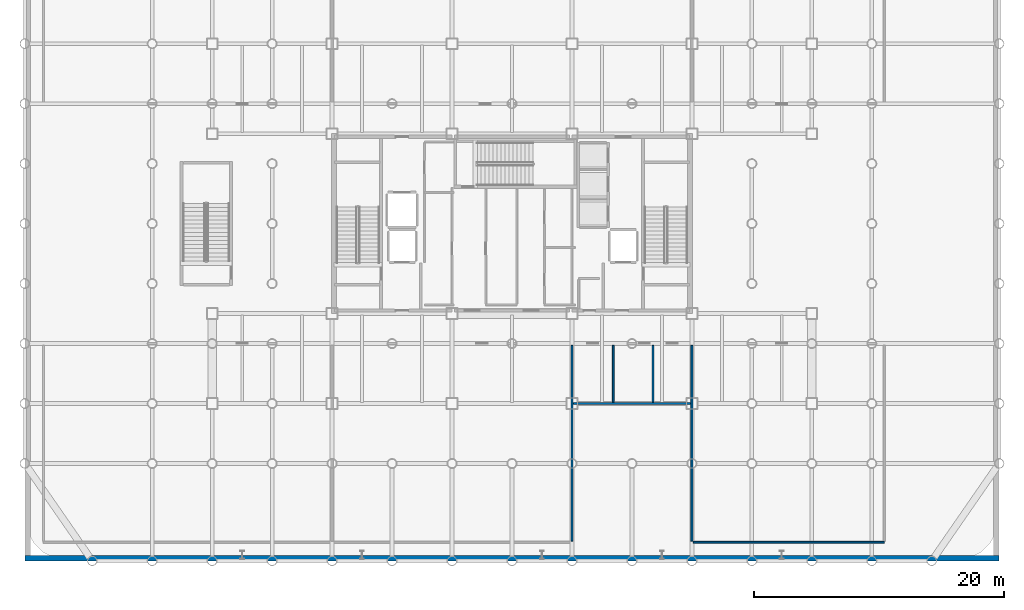
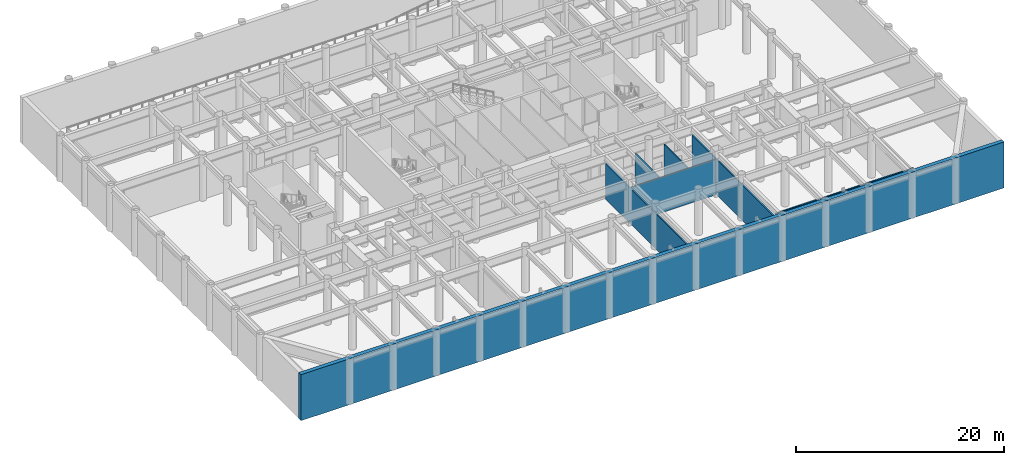
# One storey, part 9 of 16: 7 walls.
"""IFC4 building model written with IfcOpenShell, lengths in metres."""

from ifc_helpers import new_model, si_unit, direction, frame, frame_2d, origin, place, context, subcontext, project, spatial, rectangle, extrude, material, layer, layer_set, type_object, element, save


model = new_model("IFC4")

# Units and contexts
model_context = context("Model", 3, precision=1e-05, world=origin(), true_north=direction((0.0, 1.0)))
body_context = subcontext(model_context, "Body", "Model", "MODEL_VIEW")
ifc_project = project(units=[si_unit("LENGTHUNIT", "METRE"), si_unit("AREAUNIT", "SQUARE_METRE"), si_unit("VOLUMEUNIT", "CUBIC_METRE"), si_unit("PLANEANGLEUNIT", "RADIAN"), si_unit("MASSUNIT", "GRAM", prefix="KILO")], contexts=[model_context])

# Site, building, storey
site_placement = place(None, origin())
site = spatial("IfcSite", under=ifc_project, at=site_placement, CompositionType="ELEMENT")
building_placement = place(site_placement, origin())
building = spatial("IfcBuilding", under=site, at=building_placement, Name="Kallvorn Hotel Tower", CompositionType="ELEMENT")
storey_placement = place(building_placement, frame((0.0, 0.0, -5.39990234375)))
storey = spatial("IfcBuildingStorey", under=building, at=storey_placement, Name="B1", CompositionType="ELEMENT", Elevation=-5.39990234375)

# Walls
ifc_material_1 = material(Name="Fire-rated double-layer acoustic gypsum drywall EI 60")
ifc_layer_1 = layer(ifc_material_1, 0.14990234375)
ifc_layer_set_1 = layer_set([ifc_layer_1], Name="WL_PART_150")
wall_type_1 = type_object("IfcWallType", Name="WL_PART_150", PredefinedType="PARTITIONING", material=ifc_layer_set_1)
wall_1_placement = place(storey_placement, frame((14.52001953125, -25.5, 0.0), z_axis=(0.0, 0.0, 1.0), x_axis=(1.0, 0.0, 0.0)))
element("IfcWall", 1, at=wall_1_placement, inside=storey, type_object=wall_type_1, Name="B1 Staff Changing Rooms and Lockers Partition", PredefinedType="PARTITIONING", context=body_context, shape_type="SweptSolid", body=[
    extrude(rectangle(XDim=15.280029296875, YDim=0.14990234375, at=frame_2d((7.64013671875, 0.0))), origin(), (0.0, 0.0, 1.0), 4.449951171875),
])
for number, where, z_axis, x_axis, name in (
    (2, (4.800048828125, -25.4150390625, 0.0), (0.0, 0.0, 1.0), (0.0, 1.0, 0.0), "B1 Central Commissary Production Kitchen Partition"),
    (3, (14.39990234375, -25.4150390625, 0.0), (0.0, 0.0, 1.0), (0.0, 1.0, 0.0), "B1 Staff Changing Rooms and Lockers Partition"),
):
    element("IfcWall", number, at=place(storey_placement, frame(where, z_axis=z_axis, x_axis=x_axis)), inside=storey, type_object=wall_type_1, Name=name, PredefinedType="PARTITIONING", context=body_context, shape_type="SweptSolid", body=[
        extrude(rectangle(XDim=15.6650390625, YDim=0.14990234375, at=frame_2d((7.83251953125, 0.0))), origin(), (0.0, 0.0, 1.0), 4.14990234375),
    ])
ifc_material_2 = material(Name="Moisture-resistant acoustic plumbing chase wall EI 60")
ifc_layer_2 = layer(ifc_material_2, 0.139892578125)
ifc_layer_set_2 = layer_set([ifc_layer_2], Name="WL_PLUMB_140")
wall_type_2 = type_object("IfcWallType", Name="WL_PLUMB_140", PredefinedType="PLUMBINGWALL", material=ifc_layer_set_2)
wall_2_placement = place(storey_placement, frame((4.919921875, -14.39990234375, 0.0), z_axis=(0.0, 0.0, 1.0), x_axis=(1.0, 0.0, 0.0)))
element("IfcWall", 4, at=wall_2_placement, inside=storey, type_object=wall_type_2, Name="B1 Public Male Restroom WC Partition", PredefinedType="PLUMBINGWALL", context=body_context, shape_type="SweptSolid", body=[
    extrude(rectangle(XDim=9.360107421875, YDim=0.139892578125, at=frame_2d((4.68017578125, 0.0))), origin(), (0.0, 0.0, 1.0), 4.14990234375),
])
for number, where, z_axis, x_axis, name in (
    (5, (8.10205078125, -14.280029296875, 0.0), (0.0, 0.0, 1.0), (0.0, 1.0, 0.0), "B1 Public Female Restroom WC Partition"),
    (6, (11.284912109375, -14.280029296875, 0.0), (0.0, 0.0, 1.0), (0.0, 1.0, 0.0), "B1 Accessible Restroom WC Partition"),
):
    element("IfcWall", number, at=place(storey_placement, frame(where, z_axis=z_axis, x_axis=x_axis)), inside=storey, type_object=wall_type_2, Name=name, PredefinedType="PLUMBINGWALL", context=body_context, shape_type="SweptSolid", body=[
        extrude(rectangle(XDim=4.530029296875, YDim=0.139892578125, at=frame_2d((2.26513671875, 0.0))), origin(), (0.0, 0.0, 1.0), 4.14990234375),
    ])
ifc_material_3 = material(Name="Concrete C40/50", Category="concrete")
ifc_layer_3 = layer(ifc_material_3, 0.449951171875)
ifc_layer_set_3 = layer_set([ifc_layer_3], Name="WL_RET_450")
wall_type_3 = type_object("IfcWallType", Name="WL_RET_450", PredefinedType="SOLIDWALL", material=ifc_layer_set_3)
wall_3_placement = place(storey_placement, frame((-39.0, -26.77490234375, -0.25), z_axis=(0.0, 0.0, 1.0), x_axis=(1.0, 0.0, 0.0)))
element("IfcWall", 7, at=wall_3_placement, inside=storey, type_object=wall_type_3, Name="B1 Perimeter Retaining Wall S", PredefinedType="SOLIDWALL", context=body_context, shape_type="SweptSolid", body=[
    extrude(rectangle(XDim=78.0, YDim=0.449951171875, at=frame_2d((39.0, 0.0))), origin(), (0.0, 0.0, 1.0), 5.39990234375),
])

save(model, "model.ifc")
